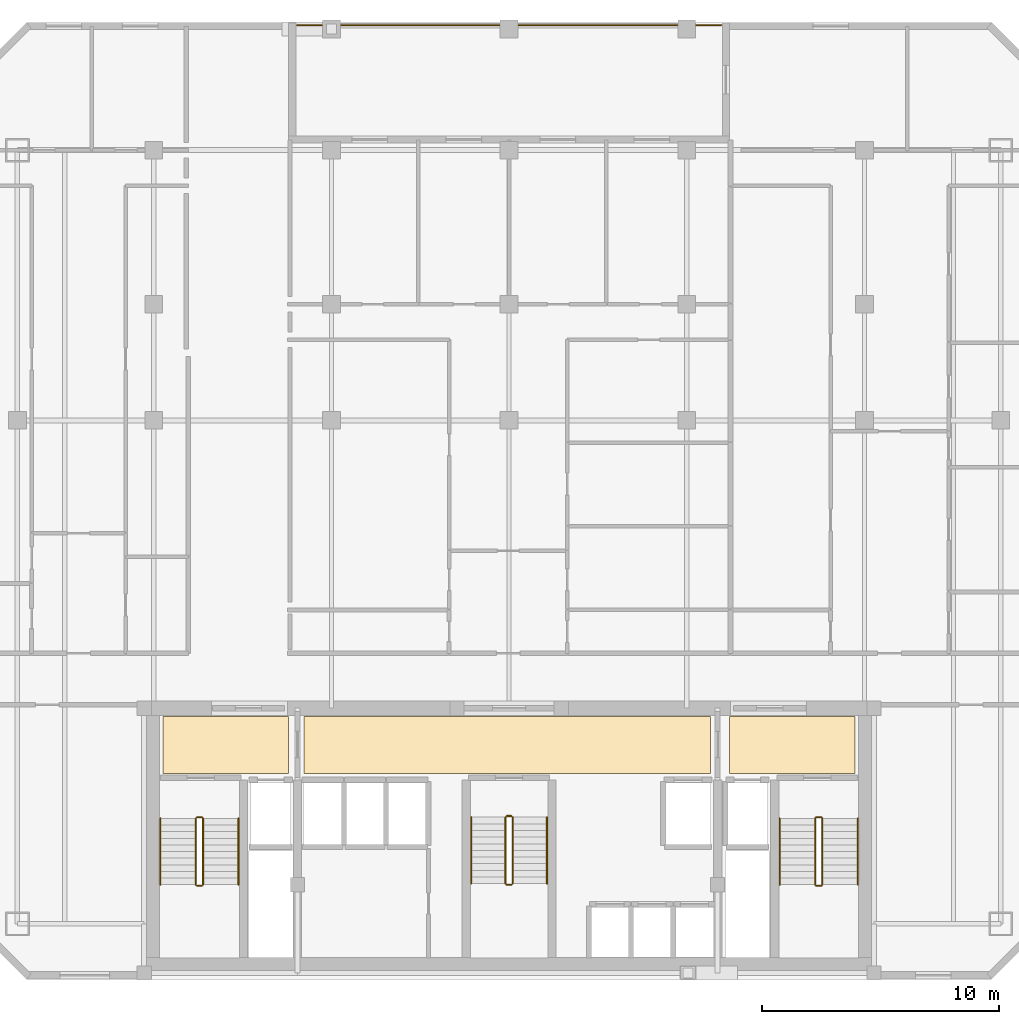
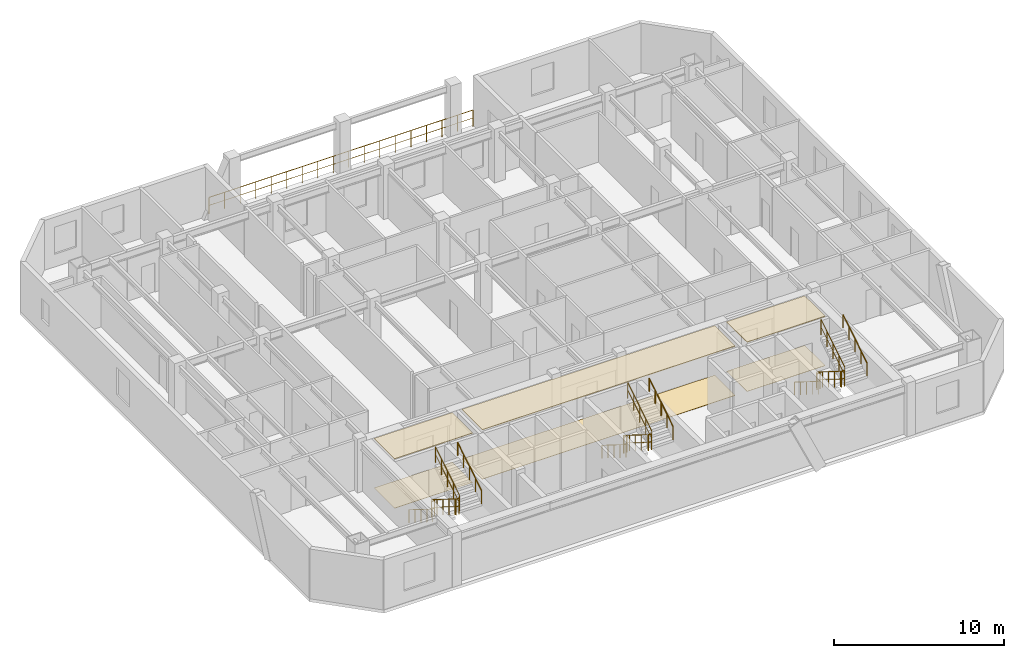
# One storey, part 8 of 8: 19 railings, 6 coverings.
"""IFC4 building model written with IfcOpenShell, lengths in metres."""

from ifc_helpers import new_model, si_unit, direction, frame, origin, origin_2d, place, context, subcontext, project, spatial, polyline, circle, outline, extrude, material, layer, layer_set, type_object, element, save


model = new_model("IFC4")

# Units and contexts
model_context = context("Model", 3, precision=1e-05, world=origin(), true_north=direction((0.0, 1.0)))
body_context = subcontext(model_context, "Body", "Model", "MODEL_VIEW")
ifc_project = project(units=[si_unit("LENGTHUNIT", "METRE"), si_unit("AREAUNIT", "SQUARE_METRE"), si_unit("VOLUMEUNIT", "CUBIC_METRE"), si_unit("PLANEANGLEUNIT", "RADIAN"), si_unit("MASSUNIT", "GRAM", prefix="KILO")], contexts=[model_context])

# Site, building, storey
site_placement = place(None, origin())
site = spatial("IfcSite", under=ifc_project, at=site_placement, CompositionType="ELEMENT")
building_placement = place(site_placement, origin())
building = spatial("IfcBuilding", under=site, at=building_placement, Name="Ventersveld Concourse Tower", CompositionType="ELEMENT")
storey_placement = place(building_placement, frame((0.0, 0.0, 200.300048828125)))
storey = spatial("IfcBuildingStorey", under=building, at=storey_placement, Name="L49", CompositionType="ELEMENT", Elevation=200.300048828125)

# Coverings
ifc_material_1 = material(Name="Mineral-fibre acoustic ceiling tile", Category="gypsum")
ifc_layer_1 = layer(ifc_material_1, 0.0400390625)
ifc_layer_set_1 = layer_set([ifc_layer_1], Name="Mineral-fibre acoustic ceiling tile")
covering_type_1 = type_object("IfcCoveringType", Name="COV-CEIL-ACOUSTIC", PredefinedType="CEILING", material=ifc_layer_set_1)
covering_1_placement = place(storey_placement, frame((0.0, 0.0, 3.530029296875)))
element("IfcCovering", 1, at=covering_1_placement, inside=storey, type_object=covering_type_1, Name="L49 North Lift Lobby Acoustic Ceiling", PredefinedType="CEILING", context=body_context, shape_type="SweptSolid", body=[
    extrude(outline(polyline([(20.10009765625, 8.699951171875), (37.25, 8.699951171875), (37.25, 11.10009765625), (20.10009765625, 11.10009765625), (20.10009765625, 8.699951171875)])), origin(), (0.0, 0.0, 1.0), 0.0400390625),
])
covering_2_placement = place(storey_placement, frame((0.0, 0.0, 3.530029296875)))
element("IfcCovering", 2, at=covering_2_placement, inside=storey, type_object=covering_type_1, Name="L49 West Firefighting Lobby Acoustic Ceiling", PredefinedType="CEILING", context=body_context, shape_type="SweptSolid", body=[
    extrude(outline(polyline([(14.14990234375, 8.699951171875), (19.449951171875, 8.699951171875), (19.449951171875, 11.10009765625), (14.14990234375, 11.10009765625), (14.14990234375, 8.699951171875)])), origin(), (0.0, 0.0, 1.0), 0.0400390625),
])
covering_3_placement = place(storey_placement, frame((0.0, 0.0, 3.530029296875)))
element("IfcCovering", 3, at=covering_3_placement, inside=storey, type_object=covering_type_1, Name="L49 East Firefighting Lobby Acoustic Ceiling", PredefinedType="CEILING", context=body_context, shape_type="SweptSolid", body=[
    extrude(outline(polyline([(38.050048828125, 8.699951171875), (43.35009765625, 8.699951171875), (43.35009765625, 11.10009765625), (38.050048828125, 11.10009765625), (38.050048828125, 8.699951171875)])), origin(), (0.0, 0.0, 1.0), 0.0400390625),
])
ifc_material_2 = material(Name="Polished Highveld granite terrazzo", Category="masonry")
ifc_layer_2 = layer(ifc_material_2, 0.02001953125)
ifc_layer_set_2 = layer_set([ifc_layer_2], Name="Polished Highveld granite terrazzo")
covering_type_2 = type_object("IfcCoveringType", Name="COV-FLOOR-TERRAZZO", PredefinedType="FLOORING", material=ifc_layer_set_2)
covering_4_placement = place(storey_placement, origin())
element("IfcCovering", 4, at=covering_4_placement, inside=storey, type_object=covering_type_2, Name="L49 North Lift Lobby Terrazzo Flooring", PredefinedType="FLOORING", context=body_context, shape_type="SweptSolid", body=[
    extrude(outline(polyline([(20.10009765625, 8.699951171875), (37.25, 8.699951171875), (37.25, 11.10009765625), (20.10009765625, 11.10009765625), (20.10009765625, 8.699951171875)])), origin(), (0.0, 0.0, 1.0), 0.02001953125),
])
covering_5_placement = place(storey_placement, origin())
element("IfcCovering", 5, at=covering_5_placement, inside=storey, type_object=covering_type_2, Name="L49 West Firefighting Lobby Terrazzo Flooring", PredefinedType="FLOORING", context=body_context, shape_type="SweptSolid", body=[
    extrude(outline(polyline([(14.14990234375, 8.699951171875), (19.449951171875, 8.699951171875), (19.449951171875, 11.10009765625), (14.14990234375, 11.10009765625), (14.14990234375, 8.699951171875)])), origin(), (0.0, 0.0, 1.0), 0.02001953125),
])
covering_6_placement = place(storey_placement, origin())
element("IfcCovering", 6, at=covering_6_placement, inside=storey, type_object=covering_type_2, Name="L49 East Firefighting Lobby Terrazzo Flooring", PredefinedType="FLOORING", context=body_context, shape_type="SweptSolid", body=[
    extrude(outline(polyline([(38.050048828125, 8.699951171875), (43.35009765625, 8.699951171875), (43.35009765625, 11.10009765625), (38.050048828125, 11.10009765625), (38.050048828125, 8.699951171875)])), origin(), (0.0, 0.0, 1.0), 0.02001953125),
])

# Railings
ifc_material_3 = material(Name="Brushed stainless steel 316", Category="steel")
railing_type_1 = type_object("IfcRailingType", Name="GD-BAL-115", PredefinedType="GUARDRAIL", material=ifc_material_3)
railing_1_placement = place(storey_placement, frame((15.530029296875, 6.800048828125, 0.175048828125)))
element("IfcRailing", 7, at=railing_1_placement, inside=storey, type_object=railing_type_1, Name="L49 ST-01 stair guard 1", PredefinedType="GUARDRAIL", context=body_context, shape_type="SweptSolid", body=[
    extrude(circle(Radius=0.02392578125, at=origin_2d()), frame((0.0, 0.0, 1.1259765625), z_axis=(0.0, -0.848002457836, 0.529992293815), x_axis=(1.0, 0.0, 0.0)), (0.0, 0.0, 1.0), 3.302001953125),
    extrude(circle(Radius=0.01611328125, at=origin_2d()), frame((0.0, 0.0, 0.574951171875), z_axis=(0.0, -0.848002457836, 0.529992293815), x_axis=(1.0, 0.0, 0.0)), (0.0, 0.0, 1.0), 3.302001953125),
    extrude(circle(Radius=0.02099609375, at=origin_2d()), origin(), (0.0, 0.0, 1.0), 1.101806640625),
    extrude(circle(Radius=0.02099609375, at=origin_2d()), frame((0.0, -0.699951171875, 0.4375)), (0.0, 0.0, 1.0), 1.101806640625),
    extrude(circle(Radius=0.02099609375, at=origin_2d()), frame((0.0, -1.39990234375, 0.875)), (0.0, 0.0, 1.0), 1.101806640625),
    extrude(circle(Radius=0.02099609375, at=origin_2d()), frame((0.0, -2.10009765625, 1.3125)), (0.0, 0.0, 1.0), 1.101806640625),
    extrude(circle(Radius=0.02099609375, at=origin_2d()), frame((0.0, -2.800048828125, 1.75)), (0.0, 0.0, 1.0), 1.101806640625),
])
railing_2_placement = place(storey_placement, frame((15.580078125, 3.949951171875, 1.925048828125)))
element("IfcRailing", 8, at=railing_2_placement, inside=storey, type_object=railing_type_1, Name="L49 ST-01 stair guard 2", PredefinedType="GUARDRAIL", context=body_context, shape_type="SweptSolid", body=[
    extrude(circle(Radius=0.02392578125, at=origin_2d()), frame((0.0, 0.0, 1.1259765625), z_axis=(1.0, 0.0, 0.0), x_axis=(0.0, 1.0, 0.0)), (0.0, 0.0, 1.0), 0.199951171875),
    extrude(circle(Radius=0.01611328125, at=origin_2d()), frame((0.0, 0.0, 0.574951171875), z_axis=(1.0, 0.0, 0.0), x_axis=(0.0, 1.0, 0.0)), (0.0, 0.0, 1.0), 0.199951171875),
    extrude(circle(Radius=0.02099609375, at=origin_2d()), origin(), (0.0, 0.0, 1.0), 1.101806640625),
    extrude(circle(Radius=0.02099609375, at=origin_2d()), frame((0.199951171875, 0.0, 0.0)), (0.0, 0.0, 1.0), 1.101806640625),
])
railing_3_placement = place(storey_placement, frame((15.830078125, 4.0, 2.099853515625)))
element("IfcRailing", 9, at=railing_3_placement, inside=storey, type_object=railing_type_1, Name="L49 ST-01 stair guard 3", PredefinedType="GUARDRAIL", context=body_context, shape_type="SweptSolid", body=[
    extrude(circle(Radius=0.02392578125, at=origin_2d()), frame((0.0, 0.0, 1.1259765625), z_axis=(0.0, 0.848002457836, 0.529992293815), x_axis=(-1.0, 0.0, 0.0)), (0.0, 0.0, 1.0), 3.302001953125),
    extrude(circle(Radius=0.01611328125, at=origin_2d()), frame((0.0, 0.0, 0.574951171875), z_axis=(0.0, 0.848002457836, 0.529992293815), x_axis=(-1.0, 0.0, 0.0)), (0.0, 0.0, 1.0), 3.302001953125),
    extrude(circle(Radius=0.02099609375, at=origin_2d()), origin(), (0.0, 0.0, 1.0), 1.101806640625),
    extrude(circle(Radius=0.02099609375, at=origin_2d()), frame((0.0, 0.699951171875, 0.4375)), (0.0, 0.0, 1.0), 1.101806640625),
    extrude(circle(Radius=0.02099609375, at=origin_2d()), frame((0.0, 1.39990234375, 0.875)), (0.0, 0.0, 1.0), 1.101806640625),
    extrude(circle(Radius=0.02099609375, at=origin_2d()), frame((0.0, 2.10009765625, 1.3125)), (0.0, 0.0, 1.0), 1.101806640625),
    extrude(circle(Radius=0.02099609375, at=origin_2d()), frame((0.0, 2.800048828125, 1.75)), (0.0, 0.0, 1.0), 1.101806640625),
])
railing_4_placement = place(storey_placement, frame((15.580078125, 6.85009765625, 0.0)))
element("IfcRailing", 10, at=railing_4_placement, inside=storey, type_object=railing_type_1, Name="L49 ST-01 stair guard 4", PredefinedType="GUARDRAIL", context=body_context, shape_type="SweptSolid", body=[
    extrude(circle(Radius=0.02392578125, at=origin_2d()), frame((0.0, 0.0, 1.1259765625), z_axis=(1.0, 0.0, 0.0), x_axis=(0.0, 1.0, 0.0)), (0.0, 0.0, 1.0), 0.199951171875),
    extrude(circle(Radius=0.01611328125, at=origin_2d()), frame((0.0, 0.0, 0.574951171875), z_axis=(1.0, 0.0, 0.0), x_axis=(0.0, 1.0, 0.0)), (0.0, 0.0, 1.0), 0.199951171875),
    extrude(circle(Radius=0.02099609375, at=origin_2d()), origin(), (0.0, 0.0, 1.0), 1.101806640625),
    extrude(circle(Radius=0.02099609375, at=origin_2d()), frame((0.199951171875, 0.0, 0.0)), (0.0, 0.0, 1.0), 1.101806640625),
])
railing_5_placement = place(storey_placement, frame((41.669921875, 6.800048828125, 0.175048828125)))
element("IfcRailing", 11, at=railing_5_placement, inside=storey, type_object=railing_type_1, Name="L49 ST-02 stair guard 1", PredefinedType="GUARDRAIL", context=body_context, shape_type="SweptSolid", body=[
    extrude(circle(Radius=0.02392578125, at=origin_2d()), frame((0.0, 0.0, 1.1259765625), z_axis=(0.0, -0.848002457836, 0.529992293815), x_axis=(1.0, 0.0, 0.0)), (0.0, 0.0, 1.0), 3.302001953125),
    extrude(circle(Radius=0.01611328125, at=origin_2d()), frame((0.0, 0.0, 0.574951171875), z_axis=(0.0, -0.848002457836, 0.529992293815), x_axis=(1.0, 0.0, 0.0)), (0.0, 0.0, 1.0), 3.302001953125),
    extrude(circle(Radius=0.02099609375, at=origin_2d()), origin(), (0.0, 0.0, 1.0), 1.101806640625),
    extrude(circle(Radius=0.02099609375, at=origin_2d()), frame((0.0, -0.699951171875, 0.4375)), (0.0, 0.0, 1.0), 1.101806640625),
    extrude(circle(Radius=0.02099609375, at=origin_2d()), frame((0.0, -1.39990234375, 0.875)), (0.0, 0.0, 1.0), 1.101806640625),
    extrude(circle(Radius=0.02099609375, at=origin_2d()), frame((0.0, -2.10009765625, 1.3125)), (0.0, 0.0, 1.0), 1.101806640625),
    extrude(circle(Radius=0.02099609375, at=origin_2d()), frame((0.0, -2.800048828125, 1.75)), (0.0, 0.0, 1.0), 1.101806640625),
])
railing_6_placement = place(storey_placement, frame((41.719970703125, 3.949951171875, 1.925048828125)))
element("IfcRailing", 12, at=railing_6_placement, inside=storey, type_object=railing_type_1, Name="L49 ST-02 stair guard 2", PredefinedType="GUARDRAIL", context=body_context, shape_type="SweptSolid", body=[
    extrude(circle(Radius=0.02392578125, at=origin_2d()), frame((0.0, 0.0, 1.1259765625), z_axis=(1.0, 0.0, 0.0), x_axis=(0.0, 1.0, 0.0)), (0.0, 0.0, 1.0), 0.199951171875),
    extrude(circle(Radius=0.01611328125, at=origin_2d()), frame((0.0, 0.0, 0.574951171875), z_axis=(1.0, 0.0, 0.0), x_axis=(0.0, 1.0, 0.0)), (0.0, 0.0, 1.0), 0.199951171875),
    extrude(circle(Radius=0.02099609375, at=origin_2d()), origin(), (0.0, 0.0, 1.0), 1.101806640625),
    extrude(circle(Radius=0.02099609375, at=origin_2d()), frame((0.199951171875, 0.0, 0.0)), (0.0, 0.0, 1.0), 1.101806640625),
])
railing_7_placement = place(storey_placement, frame((41.969970703125, 4.0, 2.099853515625)))
element("IfcRailing", 13, at=railing_7_placement, inside=storey, type_object=railing_type_1, Name="L49 ST-02 stair guard 3", PredefinedType="GUARDRAIL", context=body_context, shape_type="SweptSolid", body=[
    extrude(circle(Radius=0.02392578125, at=origin_2d()), frame((0.0, 0.0, 1.1259765625), z_axis=(0.0, 0.848002457836, 0.529992293815), x_axis=(-1.0, 0.0, 0.0)), (0.0, 0.0, 1.0), 3.302001953125),
    extrude(circle(Radius=0.01611328125, at=origin_2d()), frame((0.0, 0.0, 0.574951171875), z_axis=(0.0, 0.848002457836, 0.529992293815), x_axis=(-1.0, 0.0, 0.0)), (0.0, 0.0, 1.0), 3.302001953125),
    extrude(circle(Radius=0.02099609375, at=origin_2d()), origin(), (0.0, 0.0, 1.0), 1.101806640625),
    extrude(circle(Radius=0.02099609375, at=origin_2d()), frame((0.0, 0.699951171875, 0.4375)), (0.0, 0.0, 1.0), 1.101806640625),
    extrude(circle(Radius=0.02099609375, at=origin_2d()), frame((0.0, 1.39990234375, 0.875)), (0.0, 0.0, 1.0), 1.101806640625),
    extrude(circle(Radius=0.02099609375, at=origin_2d()), frame((0.0, 2.10009765625, 1.3125)), (0.0, 0.0, 1.0), 1.101806640625),
    extrude(circle(Radius=0.02099609375, at=origin_2d()), frame((0.0, 2.800048828125, 1.75)), (0.0, 0.0, 1.0), 1.101806640625),
])
railing_8_placement = place(storey_placement, frame((41.719970703125, 6.85009765625, 0.0)))
element("IfcRailing", 14, at=railing_8_placement, inside=storey, type_object=railing_type_1, Name="L49 ST-02 stair guard 4", PredefinedType="GUARDRAIL", context=body_context, shape_type="SweptSolid", body=[
    extrude(circle(Radius=0.02392578125, at=origin_2d()), frame((0.0, 0.0, 1.1259765625), z_axis=(1.0, 0.0, 0.0), x_axis=(0.0, 1.0, 0.0)), (0.0, 0.0, 1.0), 0.199951171875),
    extrude(circle(Radius=0.01611328125, at=origin_2d()), frame((0.0, 0.0, 0.574951171875), z_axis=(1.0, 0.0, 0.0), x_axis=(0.0, 1.0, 0.0)), (0.0, 0.0, 1.0), 0.199951171875),
    extrude(circle(Radius=0.02099609375, at=origin_2d()), origin(), (0.0, 0.0, 1.0), 1.101806640625),
    extrude(circle(Radius=0.02099609375, at=origin_2d()), frame((0.199951171875, 0.0, 0.0)), (0.0, 0.0, 1.0), 1.101806640625),
])
railing_9_placement = place(storey_placement, frame((28.60009765625, 6.85009765625, 0.175048828125)))
element("IfcRailing", 15, at=railing_9_placement, inside=storey, type_object=railing_type_1, Name="L49 ST-03 stair guard 1", PredefinedType="GUARDRAIL", context=body_context, shape_type="SweptSolid", body=[
    extrude(circle(Radius=0.02392578125, at=origin_2d()), frame((0.0, 0.0, 1.1259765625), z_axis=(0.0, -0.848002457836, 0.529992293815), x_axis=(1.0, 0.0, 0.0)), (0.0, 0.0, 1.0), 3.302001953125),
    extrude(circle(Radius=0.01611328125, at=origin_2d()), frame((0.0, 0.0, 0.574951171875), z_axis=(0.0, -0.848002457836, 0.529992293815), x_axis=(1.0, 0.0, 0.0)), (0.0, 0.0, 1.0), 3.302001953125),
    extrude(circle(Radius=0.02099609375, at=origin_2d()), origin(), (0.0, 0.0, 1.0), 1.101806640625),
    extrude(circle(Radius=0.02099609375, at=origin_2d()), frame((0.0, -0.699951171875, 0.4375)), (0.0, 0.0, 1.0), 1.101806640625),
    extrude(circle(Radius=0.02099609375, at=origin_2d()), frame((0.0, -1.39990234375, 0.875)), (0.0, 0.0, 1.0), 1.101806640625),
    extrude(circle(Radius=0.02099609375, at=origin_2d()), frame((0.0, -2.10009765625, 1.3125)), (0.0, 0.0, 1.0), 1.101806640625),
    extrude(circle(Radius=0.02099609375, at=origin_2d()), frame((0.0, -2.800048828125, 1.75)), (0.0, 0.0, 1.0), 1.101806640625),
])
railing_10_placement = place(storey_placement, frame((28.64990234375, 4.0, 1.925048828125)))
element("IfcRailing", 16, at=railing_10_placement, inside=storey, type_object=railing_type_1, Name="L49 ST-03 stair guard 2", PredefinedType="GUARDRAIL", context=body_context, shape_type="SweptSolid", body=[
    extrude(circle(Radius=0.02392578125, at=origin_2d()), frame((0.0, 0.0, 1.1259765625), z_axis=(1.0, 0.0, 0.0), x_axis=(0.0, 1.0, 0.0)), (0.0, 0.0, 1.0), 0.2001953125),
    extrude(circle(Radius=0.01611328125, at=origin_2d()), frame((0.0, 0.0, 0.574951171875), z_axis=(1.0, 0.0, 0.0), x_axis=(0.0, 1.0, 0.0)), (0.0, 0.0, 1.0), 0.2001953125),
    extrude(circle(Radius=0.02099609375, at=origin_2d()), origin(), (0.0, 0.0, 1.0), 1.101806640625),
    extrude(circle(Radius=0.02099609375, at=origin_2d()), frame((0.2001953125, 0.0, 0.0)), (0.0, 0.0, 1.0), 1.101806640625),
])
railing_11_placement = place(storey_placement, frame((28.89990234375, 4.050048828125, 2.099853515625)))
element("IfcRailing", 17, at=railing_11_placement, inside=storey, type_object=railing_type_1, Name="L49 ST-03 stair guard 3", PredefinedType="GUARDRAIL", context=body_context, shape_type="SweptSolid", body=[
    extrude(circle(Radius=0.02392578125, at=origin_2d()), frame((0.0, 0.0, 1.1259765625), z_axis=(0.0, 0.848002457836, 0.529992293815), x_axis=(-1.0, 0.0, 0.0)), (0.0, 0.0, 1.0), 3.302001953125),
    extrude(circle(Radius=0.01611328125, at=origin_2d()), frame((0.0, 0.0, 0.574951171875), z_axis=(0.0, 0.848002457836, 0.529992293815), x_axis=(-1.0, 0.0, 0.0)), (0.0, 0.0, 1.0), 3.302001953125),
    extrude(circle(Radius=0.02099609375, at=origin_2d()), origin(), (0.0, 0.0, 1.0), 1.101806640625),
    extrude(circle(Radius=0.02099609375, at=origin_2d()), frame((0.0, 0.699951171875, 0.4375)), (0.0, 0.0, 1.0), 1.101806640625),
    extrude(circle(Radius=0.02099609375, at=origin_2d()), frame((0.0, 1.39990234375, 0.875)), (0.0, 0.0, 1.0), 1.101806640625),
    extrude(circle(Radius=0.02099609375, at=origin_2d()), frame((0.0, 2.10009765625, 1.3125)), (0.0, 0.0, 1.0), 1.101806640625),
    extrude(circle(Radius=0.02099609375, at=origin_2d()), frame((0.0, 2.800048828125, 1.75)), (0.0, 0.0, 1.0), 1.101806640625),
])
railing_12_placement = place(storey_placement, frame((28.64990234375, 6.89990234375, 0.0)))
element("IfcRailing", 18, at=railing_12_placement, inside=storey, type_object=railing_type_1, Name="L49 ST-03 stair guard 4", PredefinedType="GUARDRAIL", context=body_context, shape_type="SweptSolid", body=[
    extrude(circle(Radius=0.02392578125, at=origin_2d()), frame((0.0, 0.0, 1.1259765625), z_axis=(1.0, 0.0, 0.0), x_axis=(0.0, 1.0, 0.0)), (0.0, 0.0, 1.0), 0.2001953125),
    extrude(circle(Radius=0.01611328125, at=origin_2d()), frame((0.0, 0.0, 0.574951171875), z_axis=(1.0, 0.0, 0.0), x_axis=(0.0, 1.0, 0.0)), (0.0, 0.0, 1.0), 0.2001953125),
    extrude(circle(Radius=0.02099609375, at=origin_2d()), origin(), (0.0, 0.0, 1.0), 1.101806640625),
    extrude(circle(Radius=0.02099609375, at=origin_2d()), frame((0.2001953125, 0.0, 0.0)), (0.0, 0.0, 1.0), 1.101806640625),
])
railing_type_2 = type_object("IfcRailingType", Name="GD-TER-120", PredefinedType="GUARDRAIL", material=ifc_material_3)
railing_13_placement = place(storey_placement, frame((19.800048828125, 40.280029296875, 0.0)))
element("IfcRailing", 19, at=railing_13_placement, inside=storey, type_object=railing_type_2, Name="L49 Outdoor Terrace Guardrail NOTCH-N", PredefinedType="GUARDRAIL", context=body_context, shape_type="SweptSolid", body=[
    extrude(circle(Radius=0.02392578125, at=origin_2d()), frame((0.0, 0.0, 1.17578125), z_axis=(1.0, 0.0, 0.0), x_axis=(0.0, 1.0, 0.0)), (0.0, 0.0, 1.0), 17.89990234375),
    extrude(circle(Radius=0.01611328125, at=origin_2d()), frame((0.0, 0.0, 0.60009765625), z_axis=(1.0, 0.0, 0.0), x_axis=(0.0, 1.0, 0.0)), (0.0, 0.0, 1.0), 17.89990234375),
    extrude(circle(Radius=0.02099609375, at=origin_2d()), origin(), (0.0, 0.0, 1.0), 1.15185546875),
    extrude(circle(Radius=0.02099609375, at=origin_2d()), frame((1.052978515625, 0.0, 0.0)), (0.0, 0.0, 1.0), 1.15185546875),
    extrude(circle(Radius=0.02099609375, at=origin_2d()), frame((2.10595703125, 0.0, 0.0)), (0.0, 0.0, 1.0), 1.15185546875),
    extrude(circle(Radius=0.02099609375, at=origin_2d()), frame((3.15869140625, 0.0, 0.0)), (0.0, 0.0, 1.0), 1.15185546875),
    extrude(circle(Radius=0.02099609375, at=origin_2d()), frame((4.211669921875, 0.0, 0.0)), (0.0, 0.0, 1.0), 1.15185546875),
    extrude(circle(Radius=0.02099609375, at=origin_2d()), frame((5.2646484375, 0.0, 0.0)), (0.0, 0.0, 1.0), 1.15185546875),
    extrude(circle(Radius=0.02099609375, at=origin_2d()), frame((6.317626953125, 0.0, 0.0)), (0.0, 0.0, 1.0), 1.15185546875),
    extrude(circle(Radius=0.02099609375, at=origin_2d()), frame((7.37060546875, 0.0, 0.0)), (0.0, 0.0, 1.0), 1.15185546875),
    extrude(circle(Radius=0.02099609375, at=origin_2d()), frame((8.423583984375, 0.0, 0.0)), (0.0, 0.0, 1.0), 1.15185546875),
    extrude(circle(Radius=0.02099609375, at=origin_2d()), frame((9.476318359375, 0.0, 0.0)), (0.0, 0.0, 1.0), 1.15185546875),
    extrude(circle(Radius=0.02099609375, at=origin_2d()), frame((10.529296875, 0.0, 0.0)), (0.0, 0.0, 1.0), 1.15185546875),
    extrude(circle(Radius=0.02099609375, at=origin_2d()), frame((11.582275390625, 0.0, 0.0)), (0.0, 0.0, 1.0), 1.15185546875),
    extrude(circle(Radius=0.02099609375, at=origin_2d()), frame((12.63525390625, 0.0, 0.0)), (0.0, 0.0, 1.0), 1.15185546875),
    extrude(circle(Radius=0.02099609375, at=origin_2d()), frame((13.688232421875, 0.0, 0.0)), (0.0, 0.0, 1.0), 1.15185546875),
    extrude(circle(Radius=0.02099609375, at=origin_2d()), frame((14.7412109375, 0.0, 0.0)), (0.0, 0.0, 1.0), 1.15185546875),
    extrude(circle(Radius=0.02099609375, at=origin_2d()), frame((15.7939453125, 0.0, 0.0)), (0.0, 0.0, 1.0), 1.15185546875),
    extrude(circle(Radius=0.02099609375, at=origin_2d()), frame((16.846923828125, 0.0, 0.0)), (0.0, 0.0, 1.0), 1.15185546875),
    extrude(circle(Radius=0.02099609375, at=origin_2d()), frame((17.89990234375, 0.0, 0.0)), (0.0, 0.0, 1.0), 1.15185546875),
])
railing_type_3 = type_object("IfcRailingType", Name="HR-RMP-095", PredefinedType="HANDRAIL", material=ifc_material_3)
railing_14_placement = place(storey_placement, frame((14.030029296875, 6.800048828125, 0.175048828125)))
element("IfcRailing", 20, at=railing_14_placement, inside=storey, type_object=railing_type_3, Name="L49 ST-01 stair handrail 1", PredefinedType="HANDRAIL", context=body_context, shape_type="SweptSolid", body=[
    extrude(circle(Radius=0.02392578125, at=origin_2d()), frame((0.0, 0.0, 0.92578125), z_axis=(0.0, -0.848002457836, 0.529992293815), x_axis=(1.0, 0.0, 0.0)), (0.0, 0.0, 1.0), 3.302001953125),
    extrude(circle(Radius=0.02099609375, at=origin_2d()), origin(), (0.0, 0.0, 1.0), 0.90185546875),
    extrude(circle(Radius=0.02099609375, at=origin_2d()), frame((0.0, -0.699951171875, 0.4375)), (0.0, 0.0, 1.0), 0.90185546875),
    extrude(circle(Radius=0.02099609375, at=origin_2d()), frame((0.0, -1.39990234375, 0.875)), (0.0, 0.0, 1.0), 0.90185546875),
    extrude(circle(Radius=0.02099609375, at=origin_2d()), frame((0.0, -2.10009765625, 1.3125)), (0.0, 0.0, 1.0), 0.90185546875),
    extrude(circle(Radius=0.02099609375, at=origin_2d()), frame((0.0, -2.800048828125, 1.75)), (0.0, 0.0, 1.0), 0.90185546875),
])
railing_15_placement = place(storey_placement, frame((17.330078125, 4.0, 2.099853515625)))
element("IfcRailing", 21, at=railing_15_placement, inside=storey, type_object=railing_type_3, Name="L49 ST-01 stair handrail 2", PredefinedType="HANDRAIL", context=body_context, shape_type="SweptSolid", body=[
    extrude(circle(Radius=0.02392578125, at=origin_2d()), frame((0.0, 0.0, 0.92578125), z_axis=(0.0, 0.848002457836, 0.529992293815), x_axis=(-1.0, 0.0, 0.0)), (0.0, 0.0, 1.0), 3.302001953125),
    extrude(circle(Radius=0.02099609375, at=origin_2d()), origin(), (0.0, 0.0, 1.0), 0.90185546875),
    extrude(circle(Radius=0.02099609375, at=origin_2d()), frame((0.0, 0.699951171875, 0.4375)), (0.0, 0.0, 1.0), 0.90185546875),
    extrude(circle(Radius=0.02099609375, at=origin_2d()), frame((0.0, 1.39990234375, 0.875)), (0.0, 0.0, 1.0), 0.90185546875),
    extrude(circle(Radius=0.02099609375, at=origin_2d()), frame((0.0, 2.10009765625, 1.3125)), (0.0, 0.0, 1.0), 0.90185546875),
    extrude(circle(Radius=0.02099609375, at=origin_2d()), frame((0.0, 2.800048828125, 1.75)), (0.0, 0.0, 1.0), 0.90185546875),
])
railing_16_placement = place(storey_placement, frame((40.169921875, 6.800048828125, 0.175048828125)))
element("IfcRailing", 22, at=railing_16_placement, inside=storey, type_object=railing_type_3, Name="L49 ST-02 stair handrail 1", PredefinedType="HANDRAIL", context=body_context, shape_type="SweptSolid", body=[
    extrude(circle(Radius=0.02392578125, at=origin_2d()), frame((0.0, 0.0, 0.92578125), z_axis=(0.0, -0.848002457836, 0.529992293815), x_axis=(1.0, 0.0, 0.0)), (0.0, 0.0, 1.0), 3.302001953125),
    extrude(circle(Radius=0.02099609375, at=origin_2d()), origin(), (0.0, 0.0, 1.0), 0.90185546875),
    extrude(circle(Radius=0.02099609375, at=origin_2d()), frame((0.0, -0.699951171875, 0.4375)), (0.0, 0.0, 1.0), 0.90185546875),
    extrude(circle(Radius=0.02099609375, at=origin_2d()), frame((0.0, -1.39990234375, 0.875)), (0.0, 0.0, 1.0), 0.90185546875),
    extrude(circle(Radius=0.02099609375, at=origin_2d()), frame((0.0, -2.10009765625, 1.3125)), (0.0, 0.0, 1.0), 0.90185546875),
    extrude(circle(Radius=0.02099609375, at=origin_2d()), frame((0.0, -2.800048828125, 1.75)), (0.0, 0.0, 1.0), 0.90185546875),
])
railing_17_placement = place(storey_placement, frame((43.469970703125, 4.0, 2.099853515625)))
element("IfcRailing", 23, at=railing_17_placement, inside=storey, type_object=railing_type_3, Name="L49 ST-02 stair handrail 2", PredefinedType="HANDRAIL", context=body_context, shape_type="SweptSolid", body=[
    extrude(circle(Radius=0.02392578125, at=origin_2d()), frame((0.0, 0.0, 0.92578125), z_axis=(0.0, 0.848002457836, 0.529992293815), x_axis=(-1.0, 0.0, 0.0)), (0.0, 0.0, 1.0), 3.302001953125),
    extrude(circle(Radius=0.02099609375, at=origin_2d()), origin(), (0.0, 0.0, 1.0), 0.90185546875),
    extrude(circle(Radius=0.02099609375, at=origin_2d()), frame((0.0, 0.699951171875, 0.4375)), (0.0, 0.0, 1.0), 0.90185546875),
    extrude(circle(Radius=0.02099609375, at=origin_2d()), frame((0.0, 1.39990234375, 0.875)), (0.0, 0.0, 1.0), 0.90185546875),
    extrude(circle(Radius=0.02099609375, at=origin_2d()), frame((0.0, 2.10009765625, 1.3125)), (0.0, 0.0, 1.0), 0.90185546875),
    extrude(circle(Radius=0.02099609375, at=origin_2d()), frame((0.0, 2.800048828125, 1.75)), (0.0, 0.0, 1.0), 0.90185546875),
])
railing_18_placement = place(storey_placement, frame((27.14990234375, 6.85009765625, 0.175048828125)))
element("IfcRailing", 24, at=railing_18_placement, inside=storey, type_object=railing_type_3, Name="L49 ST-03 stair handrail 1", PredefinedType="HANDRAIL", context=body_context, shape_type="SweptSolid", body=[
    extrude(circle(Radius=0.02392578125, at=origin_2d()), frame((0.0, 0.0, 0.92578125), z_axis=(0.0, -0.848002457836, 0.529992293815), x_axis=(1.0, 0.0, 0.0)), (0.0, 0.0, 1.0), 3.302001953125),
    extrude(circle(Radius=0.02099609375, at=origin_2d()), origin(), (0.0, 0.0, 1.0), 0.90185546875),
    extrude(circle(Radius=0.02099609375, at=origin_2d()), frame((0.0, -0.699951171875, 0.4375)), (0.0, 0.0, 1.0), 0.90185546875),
    extrude(circle(Radius=0.02099609375, at=origin_2d()), frame((0.0, -1.39990234375, 0.875)), (0.0, 0.0, 1.0), 0.90185546875),
    extrude(circle(Radius=0.02099609375, at=origin_2d()), frame((0.0, -2.10009765625, 1.3125)), (0.0, 0.0, 1.0), 0.90185546875),
    extrude(circle(Radius=0.02099609375, at=origin_2d()), frame((0.0, -2.800048828125, 1.75)), (0.0, 0.0, 1.0), 0.90185546875),
])
railing_19_placement = place(storey_placement, frame((30.35009765625, 4.050048828125, 2.099853515625)))
element("IfcRailing", 25, at=railing_19_placement, inside=storey, type_object=railing_type_3, Name="L49 ST-03 stair handrail 2", PredefinedType="HANDRAIL", context=body_context, shape_type="SweptSolid", body=[
    extrude(circle(Radius=0.02392578125, at=origin_2d()), frame((0.0, 0.0, 0.92578125), z_axis=(0.0, 0.848002457836, 0.529992293815), x_axis=(-1.0, 0.0, 0.0)), (0.0, 0.0, 1.0), 3.302001953125),
    extrude(circle(Radius=0.02099609375, at=origin_2d()), origin(), (0.0, 0.0, 1.0), 0.90185546875),
    extrude(circle(Radius=0.02099609375, at=origin_2d()), frame((0.0, 0.699951171875, 0.4375)), (0.0, 0.0, 1.0), 0.90185546875),
    extrude(circle(Radius=0.02099609375, at=origin_2d()), frame((0.0, 1.39990234375, 0.875)), (0.0, 0.0, 1.0), 0.90185546875),
    extrude(circle(Radius=0.02099609375, at=origin_2d()), frame((0.0, 2.10009765625, 1.3125)), (0.0, 0.0, 1.0), 0.90185546875),
    extrude(circle(Radius=0.02099609375, at=origin_2d()), frame((0.0, 2.800048828125, 1.75)), (0.0, 0.0, 1.0), 0.90185546875),
])

save(model, "model.ifc")
